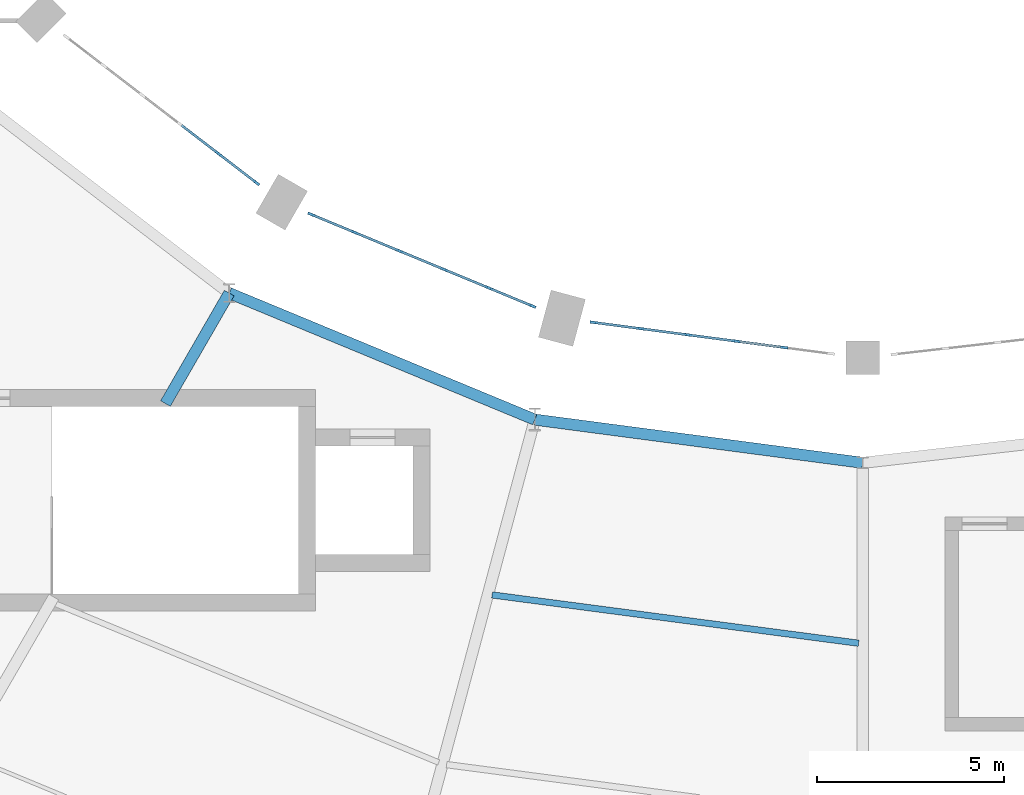
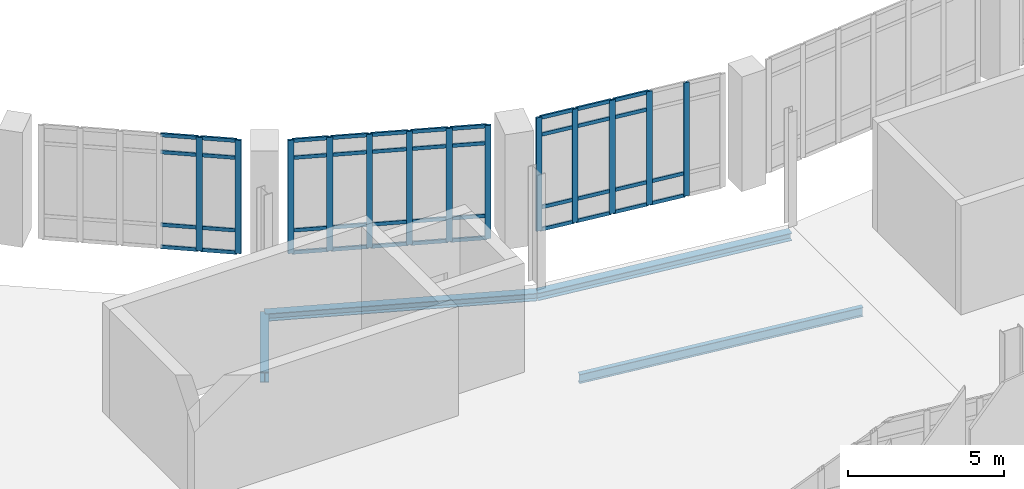
# One storey, part 19 of 67: 55 members, 4 beams, 3 elements without a shape of their own.
"""IFC4 building model written with IfcOpenShell, lengths in metres."""

from ifc_helpers import new_model, si_unit, direction, frame, origin, origin_2d, place, context, subcontext, project, spatial, rectangle, i_section, extrude, material, layer, layer_set, material_profile, profile_set, type_object, element, aggregate, save


model = new_model("IFC4")

# Units and contexts
model_context = context("Model", 3, precision=1e-05, world=origin(), true_north=direction((0.0, 1.0)))
body_context = subcontext(model_context, "Body", "Model", "MODEL_VIEW")
ifc_project = project(units=[si_unit("LENGTHUNIT", "METRE"), si_unit("AREAUNIT", "SQUARE_METRE"), si_unit("VOLUMEUNIT", "CUBIC_METRE"), si_unit("PLANEANGLEUNIT", "RADIAN"), si_unit("MASSUNIT", "GRAM", prefix="KILO")], contexts=[model_context])

# Site, building, storey
site_placement = place(None, origin())
site = spatial("IfcSite", under=ifc_project, at=site_placement, CompositionType="ELEMENT")
building_placement = place(site_placement, origin())
building = spatial("IfcBuilding", under=site, at=building_placement, Name="Sohan Crest Arena", CompositionType="ELEMENT")
storey_placement = place(building_placement, frame((0.0, 0.0, 22.5)))
storey = spatial("IfcBuildingStorey", under=building, at=storey_placement, Name="L05", CompositionType="ELEMENT", Elevation=22.5)

# Curtain wall, members
ifc_material_1 = material(Name="Thermally broken anodised aluminium", Category="aluminium")
ifc_layer = layer(ifc_material_1, 0.18994140625, Name="Thermally broken anodised aluminium")
ifc_layer_set = layer_set([ifc_layer], Name="Thermally broken anodised aluminium")
curtain_wall_type = type_object("IfcCurtainWallType", Name="ARC-CW05", PredefinedType="NOTDEFINED", material=ifc_layer_set)
curtain_wall_1_placement = place(storey_placement, origin())
curtain_wall_1 = element("IfcCurtainWall", 1, at=curtain_wall_1_placement, inside=storey, type_object=curtain_wall_type, Name="Unitised curtain wall CW-182", PredefinedType="NOTDEFINED")
ifc_material_profile_1 = material_profile(ifc_material_1, rectangle(XDim=0.070068359375, YDim=0.199951171875, at=origin_2d()), Name="ALU-MULL 70x200")
ifc_profile_set_1 = profile_set([ifc_material_profile_1], Name="Thermally broken anodised aluminium")
member_type_1 = type_object("IfcMemberType", Name="ARC-CW-ML03", PredefinedType="MULLION", material=ifc_profile_set_1)
member_1_placement = place(storey_placement, frame((80.825439453125, 52.437744140625, 0.0), z_axis=(0.0, 0.0, 1.0), x_axis=(0.608939000248, 0.793217053508, 0.0)))
member_1 = element("IfcMember", 2, at=member_1_placement, type_object=member_type_1, Name="CW-182 mullion 5", PredefinedType="MULLION", context=body_context, shape_type="SweptSolid", body=[
    extrude(rectangle(XDim=0.070068359375, YDim=0.199951171875, at=origin_2d()), origin(), (0.0, 0.0, 1.0), 4.449951171875),
])
member_2_placement = place(storey_placement, frame((81.8212890625, 51.67333984375, 0.0), z_axis=(0.0, 0.0, 1.0), x_axis=(0.608939000248, 0.793217053508, 0.0)))
member_2 = element("IfcMember", 3, at=member_2_placement, type_object=member_type_1, Name="CW-182 mullion 6", PredefinedType="MULLION", context=body_context, shape_type="SweptSolid", body=[
    extrude(rectangle(XDim=0.070068359375, YDim=0.199951171875, at=origin_2d()), origin(), (0.0, 0.0, 1.0), 4.449951171875),
])

curtain_wall_2_placement = place(storey_placement, origin())
curtain_wall_2 = element("IfcCurtainWall", 4, at=curtain_wall_2_placement, inside=storey, type_object=curtain_wall_type, Name="Unitised curtain wall CW-184", PredefinedType="NOTDEFINED")
member_3_placement = place(storey_placement, frame((83.290283203125, 50.82568359375, 0.0), z_axis=(0.0, 0.0, 1.0), x_axis=(0.382666625357, 0.923886494023, 0.0)))
member_3 = element("IfcMember", 5, at=member_3_placement, type_object=member_type_1, Name="CW-184 mullion 1", PredefinedType="MULLION", context=body_context, shape_type="SweptSolid", body=[
    extrude(rectangle(XDim=0.070068359375, YDim=0.199951171875, at=origin_2d()), origin(), (0.0, 0.0, 1.0), 4.449951171875),
])
member_4_placement = place(storey_placement, frame((84.4501953125, 50.34521484375, 0.0), z_axis=(0.0, 0.0, 1.0), x_axis=(0.382666625357, 0.923886494023, 0.0)))
member_4 = element("IfcMember", 6, at=member_4_placement, type_object=member_type_1, Name="CW-184 mullion 2", PredefinedType="MULLION", context=body_context, shape_type="SweptSolid", body=[
    extrude(rectangle(XDim=0.070068359375, YDim=0.199951171875, at=origin_2d()), origin(), (0.0, 0.0, 1.0), 4.449951171875),
])
member_5_placement = place(storey_placement, frame((85.642333984375, 49.851318359375, 0.0), z_axis=(0.0, 0.0, 1.0), x_axis=(0.382666625357, 0.923886494023, 0.0)))
member_5 = element("IfcMember", 7, at=member_5_placement, type_object=member_type_1, Name="CW-184 mullion 3", PredefinedType="MULLION", context=body_context, shape_type="SweptSolid", body=[
    extrude(rectangle(XDim=0.070068359375, YDim=0.199951171875, at=origin_2d()), origin(), (0.0, 0.0, 1.0), 4.449951171875),
])
member_6_placement = place(storey_placement, frame((86.834716796875, 49.357666015625, 0.0), z_axis=(0.0, 0.0, 1.0), x_axis=(0.382666625357, 0.923886494023, 0.0)))
member_6 = element("IfcMember", 8, at=member_6_placement, type_object=member_type_1, Name="CW-184 mullion 4", PredefinedType="MULLION", context=body_context, shape_type="SweptSolid", body=[
    extrude(rectangle(XDim=0.070068359375, YDim=0.199951171875, at=origin_2d()), origin(), (0.0, 0.0, 1.0), 4.449951171875),
])
member_7_placement = place(storey_placement, frame((88.02685546875, 48.86376953125, 0.0), z_axis=(0.0, 0.0, 1.0), x_axis=(0.382666625357, 0.923886494023, 0.0)))
member_7 = element("IfcMember", 9, at=member_7_placement, type_object=member_type_1, Name="CW-184 mullion 5", PredefinedType="MULLION", context=body_context, shape_type="SweptSolid", body=[
    extrude(rectangle(XDim=0.070068359375, YDim=0.199951171875, at=origin_2d()), origin(), (0.0, 0.0, 1.0), 4.449951171875),
])
member_8_placement = place(storey_placement, frame((89.186767578125, 48.38330078125, 0.0), z_axis=(0.0, 0.0, 1.0), x_axis=(0.382666625357, 0.923886494023, 0.0)))
member_8 = element("IfcMember", 10, at=member_8_placement, type_object=member_type_1, Name="CW-184 mullion 6", PredefinedType="MULLION", context=body_context, shape_type="SweptSolid", body=[
    extrude(rectangle(XDim=0.070068359375, YDim=0.199951171875, at=origin_2d()), origin(), (0.0, 0.0, 1.0), 4.449951171875),
])

curtain_wall_3_placement = place(storey_placement, origin())
curtain_wall_3 = element("IfcCurtainWall", 11, at=curtain_wall_3_placement, inside=storey, type_object=curtain_wall_type, Name="Unitised curtain wall CW-186", PredefinedType="NOTDEFINED")
member_9_placement = place(storey_placement, frame((90.82470703125, 47.9443359375, 0.0), z_axis=(0.0, 0.0, 1.0), x_axis=(0.130498613419, 0.991448491802, 0.0)))
member_9 = element("IfcMember", 12, at=member_9_placement, type_object=member_type_1, Name="CW-186 mullion 1", PredefinedType="MULLION", context=body_context, shape_type="SweptSolid", body=[
    extrude(rectangle(XDim=0.070068359375, YDim=0.199951171875, at=origin_2d()), origin(), (0.0, 0.0, 1.0), 4.449951171875),
])
member_10_placement = place(storey_placement, frame((92.0693359375, 47.780517578125, 0.0), z_axis=(0.0, 0.0, 1.0), x_axis=(0.130498613419, 0.991448491802, 0.0)))
member_10 = element("IfcMember", 13, at=member_10_placement, type_object=member_type_1, Name="CW-186 mullion 2", PredefinedType="MULLION", context=body_context, shape_type="SweptSolid", body=[
    extrude(rectangle(XDim=0.070068359375, YDim=0.199951171875, at=origin_2d()), origin(), (0.0, 0.0, 1.0), 4.449951171875),
])
member_11_placement = place(storey_placement, frame((93.348876953125, 47.6123046875, 0.0), z_axis=(0.0, 0.0, 1.0), x_axis=(0.130498613419, 0.991448491802, 0.0)))
member_11 = element("IfcMember", 14, at=member_11_placement, type_object=member_type_1, Name="CW-186 mullion 3", PredefinedType="MULLION", context=body_context, shape_type="SweptSolid", body=[
    extrude(rectangle(XDim=0.070068359375, YDim=0.199951171875, at=origin_2d()), origin(), (0.0, 0.0, 1.0), 4.449951171875),
])
member_12_placement = place(storey_placement, frame((94.628173828125, 47.44384765625, 0.0), z_axis=(0.0, 0.0, 1.0), x_axis=(0.130498613419, 0.991448491802, 0.0)))
member_12 = element("IfcMember", 15, at=member_12_placement, type_object=member_type_1, Name="CW-186 mullion 4", PredefinedType="MULLION", context=body_context, shape_type="SweptSolid", body=[
    extrude(rectangle(XDim=0.070068359375, YDim=0.199951171875, at=origin_2d()), origin(), (0.0, 0.0, 1.0), 4.449951171875),
])
member_13_placement = place(storey_placement, frame((95.90771484375, 47.275390625, 0.0), z_axis=(0.0, 0.0, 1.0), x_axis=(0.130498613419, 0.991448491802, 0.0)))
member_13 = element("IfcMember", 16, at=member_13_placement, type_object=member_type_1, Name="CW-186 mullion 5", PredefinedType="MULLION", context=body_context, shape_type="SweptSolid", body=[
    extrude(rectangle(XDim=0.070068359375, YDim=0.199951171875, at=origin_2d()), origin(), (0.0, 0.0, 1.0), 4.449951171875),
])

# Member
ifc_material_profile_2 = material_profile(ifc_material_1, rectangle(XDim=0.06494140625, YDim=0.139892578125, at=origin_2d()), Name="ALU-TRAN 65x140")
ifc_profile_set_2 = profile_set([ifc_material_profile_2], Name="Thermally broken anodised aluminium")
member_type_2 = type_object("IfcMemberType", Name="ARC-CW-TR02", PredefinedType="USERDEFINED", material=ifc_profile_set_2)
member_14_placement = place(storey_placement, frame((79.82958984375, 53.202392578125, 0.032470703125), z_axis=(0.793203705004, -0.608956387903, 0.0), x_axis=(0.608956387903, 0.793203705004, 0.0)))
member_14 = element("IfcMember", 17, at=member_14_placement, type_object=member_type_2, Name="CW-182 transom 4.1", ObjectType="TRANSOM", PredefinedType="USERDEFINED", context=body_context, shape_type="SweptSolid", body=[
    extrude(rectangle(XDim=0.06494140625, YDim=0.139892578125, at=origin_2d()), origin(), (0.0, 0.0, 1.0), 1.220458984375),
])

member_15_placement = place(storey_placement, frame((79.82958984375, 53.202392578125, 0.89990234375), z_axis=(0.793203705004, -0.608956387903, 0.0), x_axis=(0.608956387903, 0.793203705004, 0.0)))
member_15 = element("IfcMember", 18, at=member_15_placement, type_object=member_type_2, Name="CW-182 transom 4.2", ObjectType="TRANSOM", PredefinedType="USERDEFINED", context=body_context, shape_type="SweptSolid", body=[
    extrude(rectangle(XDim=0.06494140625, YDim=0.139892578125, at=origin_2d()), origin(), (0.0, 0.0, 1.0), 1.220458984375),
])

member_16_placement = place(storey_placement, frame((79.82958984375, 53.202392578125, 3.75), z_axis=(0.793203705004, -0.608956387903, 0.0), x_axis=(0.608956387903, 0.793203705004, 0.0)))
member_16 = element("IfcMember", 19, at=member_16_placement, type_object=member_type_2, Name="CW-182 transom 4.3", ObjectType="TRANSOM", PredefinedType="USERDEFINED", context=body_context, shape_type="SweptSolid", body=[
    extrude(rectangle(XDim=0.06494140625, YDim=0.139892578125, at=origin_2d()), origin(), (0.0, 0.0, 1.0), 1.220458984375),
])

member_17_placement = place(storey_placement, frame((79.82958984375, 53.202392578125, 4.41748046875), z_axis=(0.793203705004, -0.608956387903, 0.0), x_axis=(0.608956387903, 0.793203705004, 0.0)))
member_17 = element("IfcMember", 20, at=member_17_placement, type_object=member_type_2, Name="CW-182 transom 4.4", ObjectType="TRANSOM", PredefinedType="USERDEFINED", context=body_context, shape_type="SweptSolid", body=[
    extrude(rectangle(XDim=0.06494140625, YDim=0.139892578125, at=origin_2d()), origin(), (0.0, 0.0, 1.0), 1.220458984375),
])

member_18_placement = place(storey_placement, frame((80.853271484375, 52.41650390625, 0.032470703125), z_axis=(0.793151990467, -0.609023743394, 0.0), x_axis=(0.609023743394, 0.793151990467, 0.0)))
member_18 = element("IfcMember", 21, at=member_18_placement, type_object=member_type_2, Name="CW-182 transom 5.1", ObjectType="TRANSOM", PredefinedType="USERDEFINED", context=body_context, shape_type="SweptSolid", body=[
    extrude(rectangle(XDim=0.06494140625, YDim=0.139892578125, at=origin_2d()), origin(), (0.0, 0.0, 1.0), 1.185302734375),
])

member_19_placement = place(storey_placement, frame((80.853271484375, 52.41650390625, 0.89990234375), z_axis=(0.793151990467, -0.609023743394, 0.0), x_axis=(0.609023743394, 0.793151990467, 0.0)))
member_19 = element("IfcMember", 22, at=member_19_placement, type_object=member_type_2, Name="CW-182 transom 5.2", ObjectType="TRANSOM", PredefinedType="USERDEFINED", context=body_context, shape_type="SweptSolid", body=[
    extrude(rectangle(XDim=0.06494140625, YDim=0.139892578125, at=origin_2d()), origin(), (0.0, 0.0, 1.0), 1.185302734375),
])

member_20_placement = place(storey_placement, frame((80.853271484375, 52.41650390625, 3.75), z_axis=(0.793151990467, -0.609023743394, 0.0), x_axis=(0.609023743394, 0.793151990467, 0.0)))
member_20 = element("IfcMember", 23, at=member_20_placement, type_object=member_type_2, Name="CW-182 transom 5.3", ObjectType="TRANSOM", PredefinedType="USERDEFINED", context=body_context, shape_type="SweptSolid", body=[
    extrude(rectangle(XDim=0.06494140625, YDim=0.139892578125, at=origin_2d()), origin(), (0.0, 0.0, 1.0), 1.185302734375),
])

member_21_placement = place(storey_placement, frame((80.853271484375, 52.41650390625, 4.41748046875), z_axis=(0.793151990467, -0.609023743394, 0.0), x_axis=(0.609023743394, 0.793151990467, 0.0)))
member_21 = element("IfcMember", 24, at=member_21_placement, type_object=member_type_2, Name="CW-182 transom 5.4", ObjectType="TRANSOM", PredefinedType="USERDEFINED", context=body_context, shape_type="SweptSolid", body=[
    extrude(rectangle(XDim=0.06494140625, YDim=0.139892578125, at=origin_2d()), origin(), (0.0, 0.0, 1.0), 1.185302734375),
])

aggregate(curtain_wall_1, [member_1, member_2, member_14, member_15, member_16, member_17, member_18, member_19, member_20, member_21])

member_22_placement = place(storey_placement, frame((83.32275390625, 50.812255859375, 0.032470703125), z_axis=(0.923891330959, -0.382654947151, 0.0), x_axis=(0.382654947151, 0.923891330959, 0.0)))
member_22 = element("IfcMember", 25, at=member_22_placement, type_object=member_type_2, Name="CW-184 transom 1.1", ObjectType="TRANSOM", PredefinedType="USERDEFINED", context=body_context, shape_type="SweptSolid", body=[
    extrude(rectangle(XDim=0.06494140625, YDim=0.139892578125, at=origin_2d()), origin(), (0.0, 0.0, 1.0), 1.185546875),
])

member_23_placement = place(storey_placement, frame((83.32275390625, 50.812255859375, 0.89990234375), z_axis=(0.923891330959, -0.382654947151, 0.0), x_axis=(0.382654947151, 0.923891330959, 0.0)))
member_23 = element("IfcMember", 26, at=member_23_placement, type_object=member_type_2, Name="CW-184 transom 1.2", ObjectType="TRANSOM", PredefinedType="USERDEFINED", context=body_context, shape_type="SweptSolid", body=[
    extrude(rectangle(XDim=0.06494140625, YDim=0.139892578125, at=origin_2d()), origin(), (0.0, 0.0, 1.0), 1.185546875),
])

member_24_placement = place(storey_placement, frame((83.32275390625, 50.812255859375, 3.75), z_axis=(0.923891330959, -0.382654947151, 0.0), x_axis=(0.382654947151, 0.923891330959, 0.0)))
member_24 = element("IfcMember", 27, at=member_24_placement, type_object=member_type_2, Name="CW-184 transom 1.3", ObjectType="TRANSOM", PredefinedType="USERDEFINED", context=body_context, shape_type="SweptSolid", body=[
    extrude(rectangle(XDim=0.06494140625, YDim=0.139892578125, at=origin_2d()), origin(), (0.0, 0.0, 1.0), 1.185546875),
])

member_25_placement = place(storey_placement, frame((83.32275390625, 50.812255859375, 4.41748046875), z_axis=(0.923891330959, -0.382654947151, 0.0), x_axis=(0.382654947151, 0.923891330959, 0.0)))
member_25 = element("IfcMember", 28, at=member_25_placement, type_object=member_type_2, Name="CW-184 transom 1.4", ObjectType="TRANSOM", PredefinedType="USERDEFINED", context=body_context, shape_type="SweptSolid", body=[
    extrude(rectangle(XDim=0.06494140625, YDim=0.139892578125, at=origin_2d()), origin(), (0.0, 0.0, 1.0), 1.185546875),
])

member_26_placement = place(storey_placement, frame((84.482421875, 50.331787109375, 0.032470703125), z_axis=(0.923897383917, -0.382640332417, 0.0), x_axis=(0.382640332417, 0.923897383917, 0.0)))
member_26 = element("IfcMember", 29, at=member_26_placement, type_object=member_type_2, Name="CW-184 transom 2.1", ObjectType="TRANSOM", PredefinedType="USERDEFINED", context=body_context, shape_type="SweptSolid", body=[
    extrude(rectangle(XDim=0.06494140625, YDim=0.139892578125, at=origin_2d()), origin(), (0.0, 0.0, 1.0), 1.220458984375),
])

member_27_placement = place(storey_placement, frame((84.482421875, 50.331787109375, 0.89990234375), z_axis=(0.923897383917, -0.382640332417, 0.0), x_axis=(0.382640332417, 0.923897383917, 0.0)))
member_27 = element("IfcMember", 30, at=member_27_placement, type_object=member_type_2, Name="CW-184 transom 2.2", ObjectType="TRANSOM", PredefinedType="USERDEFINED", context=body_context, shape_type="SweptSolid", body=[
    extrude(rectangle(XDim=0.06494140625, YDim=0.139892578125, at=origin_2d()), origin(), (0.0, 0.0, 1.0), 1.220458984375),
])

member_28_placement = place(storey_placement, frame((84.482421875, 50.331787109375, 3.75), z_axis=(0.923897383917, -0.382640332417, 0.0), x_axis=(0.382640332417, 0.923897383917, 0.0)))
member_28 = element("IfcMember", 31, at=member_28_placement, type_object=member_type_2, Name="CW-184 transom 2.3", ObjectType="TRANSOM", PredefinedType="USERDEFINED", context=body_context, shape_type="SweptSolid", body=[
    extrude(rectangle(XDim=0.06494140625, YDim=0.139892578125, at=origin_2d()), origin(), (0.0, 0.0, 1.0), 1.220458984375),
])

member_29_placement = place(storey_placement, frame((84.482421875, 50.331787109375, 4.41748046875), z_axis=(0.923897383917, -0.382640332417, 0.0), x_axis=(0.382640332417, 0.923897383917, 0.0)))
member_29 = element("IfcMember", 32, at=member_29_placement, type_object=member_type_2, Name="CW-184 transom 2.4", ObjectType="TRANSOM", PredefinedType="USERDEFINED", context=body_context, shape_type="SweptSolid", body=[
    extrude(rectangle(XDim=0.06494140625, YDim=0.139892578125, at=origin_2d()), origin(), (0.0, 0.0, 1.0), 1.220458984375),
])

member_30_placement = place(storey_placement, frame((85.6748046875, 49.837890625, 0.032470703125), z_axis=(0.92393881505, -0.382540280289, 0.0), x_axis=(0.382540280289, 0.92393881505, 0.0)))
member_30 = element("IfcMember", 33, at=member_30_placement, type_object=member_type_2, Name="CW-184 transom 3.1", ObjectType="TRANSOM", PredefinedType="USERDEFINED", context=body_context, shape_type="SweptSolid", body=[
    extrude(rectangle(XDim=0.06494140625, YDim=0.139892578125, at=origin_2d()), origin(), (0.0, 0.0, 1.0), 1.22021484375),
])

member_31_placement = place(storey_placement, frame((85.6748046875, 49.837890625, 0.89990234375), z_axis=(0.92393881505, -0.382540280289, 0.0), x_axis=(0.382540280289, 0.92393881505, 0.0)))
member_31 = element("IfcMember", 34, at=member_31_placement, type_object=member_type_2, Name="CW-184 transom 3.2", ObjectType="TRANSOM", PredefinedType="USERDEFINED", context=body_context, shape_type="SweptSolid", body=[
    extrude(rectangle(XDim=0.06494140625, YDim=0.139892578125, at=origin_2d()), origin(), (0.0, 0.0, 1.0), 1.22021484375),
])

member_32_placement = place(storey_placement, frame((85.6748046875, 49.837890625, 3.75), z_axis=(0.92393881505, -0.382540280289, 0.0), x_axis=(0.382540280289, 0.92393881505, 0.0)))
member_32 = element("IfcMember", 35, at=member_32_placement, type_object=member_type_2, Name="CW-184 transom 3.3", ObjectType="TRANSOM", PredefinedType="USERDEFINED", context=body_context, shape_type="SweptSolid", body=[
    extrude(rectangle(XDim=0.06494140625, YDim=0.139892578125, at=origin_2d()), origin(), (0.0, 0.0, 1.0), 1.22021484375),
])

member_33_placement = place(storey_placement, frame((85.6748046875, 49.837890625, 4.41748046875), z_axis=(0.92393881505, -0.382540280289, 0.0), x_axis=(0.382540280289, 0.92393881505, 0.0)))
member_33 = element("IfcMember", 36, at=member_33_placement, type_object=member_type_2, Name="CW-184 transom 3.4", ObjectType="TRANSOM", PredefinedType="USERDEFINED", context=body_context, shape_type="SweptSolid", body=[
    extrude(rectangle(XDim=0.06494140625, YDim=0.139892578125, at=origin_2d()), origin(), (0.0, 0.0, 1.0), 1.22021484375),
])

member_34_placement = place(storey_placement, frame((86.866943359375, 49.34423828125, 0.032470703125), z_axis=(0.923868089985, -0.382711055899, 0.0), x_axis=(0.382711055899, 0.923868089985, 0.0)))
member_34 = element("IfcMember", 37, at=member_34_placement, type_object=member_type_2, Name="CW-184 transom 4.1", ObjectType="TRANSOM", PredefinedType="USERDEFINED", context=body_context, shape_type="SweptSolid", body=[
    extrude(rectangle(XDim=0.06494140625, YDim=0.139892578125, at=origin_2d()), origin(), (0.0, 0.0, 1.0), 1.220458984375),
])

member_35_placement = place(storey_placement, frame((86.866943359375, 49.34423828125, 0.89990234375), z_axis=(0.923868089985, -0.382711055899, 0.0), x_axis=(0.382711055899, 0.923868089985, 0.0)))
member_35 = element("IfcMember", 38, at=member_35_placement, type_object=member_type_2, Name="CW-184 transom 4.2", ObjectType="TRANSOM", PredefinedType="USERDEFINED", context=body_context, shape_type="SweptSolid", body=[
    extrude(rectangle(XDim=0.06494140625, YDim=0.139892578125, at=origin_2d()), origin(), (0.0, 0.0, 1.0), 1.220458984375),
])

member_36_placement = place(storey_placement, frame((86.866943359375, 49.34423828125, 3.75), z_axis=(0.923868089985, -0.382711055899, 0.0), x_axis=(0.382711055899, 0.923868089985, 0.0)))
member_36 = element("IfcMember", 39, at=member_36_placement, type_object=member_type_2, Name="CW-184 transom 4.3", ObjectType="TRANSOM", PredefinedType="USERDEFINED", context=body_context, shape_type="SweptSolid", body=[
    extrude(rectangle(XDim=0.06494140625, YDim=0.139892578125, at=origin_2d()), origin(), (0.0, 0.0, 1.0), 1.220458984375),
])

member_37_placement = place(storey_placement, frame((86.866943359375, 49.34423828125, 4.41748046875), z_axis=(0.923868089985, -0.382711055899, 0.0), x_axis=(0.382711055899, 0.923868089985, 0.0)))
member_37 = element("IfcMember", 40, at=member_37_placement, type_object=member_type_2, Name="CW-184 transom 4.4", ObjectType="TRANSOM", PredefinedType="USERDEFINED", context=body_context, shape_type="SweptSolid", body=[
    extrude(rectangle(XDim=0.06494140625, YDim=0.139892578125, at=origin_2d()), origin(), (0.0, 0.0, 1.0), 1.220458984375),
])

member_38_placement = place(storey_placement, frame((88.05908203125, 48.850341796875, 0.032470703125), z_axis=(0.923891330959, -0.382654947151, 0.0), x_axis=(0.382654947151, 0.923891330959, 0.0)))
member_38 = element("IfcMember", 41, at=member_38_placement, type_object=member_type_2, Name="CW-184 transom 5.1", ObjectType="TRANSOM", PredefinedType="USERDEFINED", context=body_context, shape_type="SweptSolid", body=[
    extrude(rectangle(XDim=0.06494140625, YDim=0.139892578125, at=origin_2d()), origin(), (0.0, 0.0, 1.0), 1.185546875),
])

member_39_placement = place(storey_placement, frame((88.05908203125, 48.850341796875, 0.89990234375), z_axis=(0.923891330959, -0.382654947151, 0.0), x_axis=(0.382654947151, 0.923891330959, 0.0)))
member_39 = element("IfcMember", 42, at=member_39_placement, type_object=member_type_2, Name="CW-184 transom 5.2", ObjectType="TRANSOM", PredefinedType="USERDEFINED", context=body_context, shape_type="SweptSolid", body=[
    extrude(rectangle(XDim=0.06494140625, YDim=0.139892578125, at=origin_2d()), origin(), (0.0, 0.0, 1.0), 1.185546875),
])

member_40_placement = place(storey_placement, frame((88.05908203125, 48.850341796875, 3.75), z_axis=(0.923891330959, -0.382654947151, 0.0), x_axis=(0.382654947151, 0.923891330959, 0.0)))
member_40 = element("IfcMember", 43, at=member_40_placement, type_object=member_type_2, Name="CW-184 transom 5.3", ObjectType="TRANSOM", PredefinedType="USERDEFINED", context=body_context, shape_type="SweptSolid", body=[
    extrude(rectangle(XDim=0.06494140625, YDim=0.139892578125, at=origin_2d()), origin(), (0.0, 0.0, 1.0), 1.185546875),
])

member_41_placement = place(storey_placement, frame((88.05908203125, 48.850341796875, 4.41748046875), z_axis=(0.923891330959, -0.382654947151, 0.0), x_axis=(0.382654947151, 0.923891330959, 0.0)))
member_41 = element("IfcMember", 44, at=member_41_placement, type_object=member_type_2, Name="CW-184 transom 5.4", ObjectType="TRANSOM", PredefinedType="USERDEFINED", context=body_context, shape_type="SweptSolid", body=[
    extrude(rectangle(XDim=0.06494140625, YDim=0.139892578125, at=origin_2d()), origin(), (0.0, 0.0, 1.0), 1.185546875),
])

aggregate(curtain_wall_2, [member_3, member_4, member_5, member_6, member_7, member_8, member_22, member_23, member_24, member_25, member_26, member_27, member_28, member_29, member_30, member_31, member_32, member_33, member_34, member_35, member_36, member_37, member_38, member_39, member_40, member_41])

member_42_placement = place(storey_placement, frame((90.859375, 47.93994140625, 0.032470703125), z_axis=(0.991438866968, -0.130571716173, 0.0), x_axis=(0.130571716173, 0.991438866968, 0.0)))
member_42 = element("IfcMember", 45, at=member_42_placement, type_object=member_type_2, Name="CW-186 transom 1.1", ObjectType="TRANSOM", PredefinedType="USERDEFINED", context=body_context, shape_type="SweptSolid", body=[
    extrude(rectangle(XDim=0.06494140625, YDim=0.139892578125, at=origin_2d()), origin(), (0.0, 0.0, 1.0), 1.185546875),
])

member_43_placement = place(storey_placement, frame((90.859375, 47.93994140625, 0.89990234375), z_axis=(0.991438866968, -0.130571716173, 0.0), x_axis=(0.130571716173, 0.991438866968, 0.0)))
member_43 = element("IfcMember", 46, at=member_43_placement, type_object=member_type_2, Name="CW-186 transom 1.2", ObjectType="TRANSOM", PredefinedType="USERDEFINED", context=body_context, shape_type="SweptSolid", body=[
    extrude(rectangle(XDim=0.06494140625, YDim=0.139892578125, at=origin_2d()), origin(), (0.0, 0.0, 1.0), 1.185546875),
])

member_44_placement = place(storey_placement, frame((90.859375, 47.93994140625, 3.75), z_axis=(0.991438866968, -0.130571716173, 0.0), x_axis=(0.130571716173, 0.991438866968, 0.0)))
member_44 = element("IfcMember", 47, at=member_44_placement, type_object=member_type_2, Name="CW-186 transom 1.3", ObjectType="TRANSOM", PredefinedType="USERDEFINED", context=body_context, shape_type="SweptSolid", body=[
    extrude(rectangle(XDim=0.06494140625, YDim=0.139892578125, at=origin_2d()), origin(), (0.0, 0.0, 1.0), 1.185546875),
])

member_45_placement = place(storey_placement, frame((90.859375, 47.93994140625, 4.41748046875), z_axis=(0.991438866968, -0.130571716173, 0.0), x_axis=(0.130571716173, 0.991438866968, 0.0)))
member_45 = element("IfcMember", 48, at=member_45_placement, type_object=member_type_2, Name="CW-186 transom 1.4", ObjectType="TRANSOM", PredefinedType="USERDEFINED", context=body_context, shape_type="SweptSolid", body=[
    extrude(rectangle(XDim=0.06494140625, YDim=0.139892578125, at=origin_2d()), origin(), (0.0, 0.0, 1.0), 1.185546875),
])

member_46_placement = place(storey_placement, frame((92.10400390625, 47.776123046875, 0.032470703125), z_axis=(0.991434542181, -0.130604550342, 0.0), x_axis=(0.130604550342, 0.991434542181, 0.0)))
member_46 = element("IfcMember", 49, at=member_46_placement, type_object=member_type_2, Name="CW-186 transom 2.1", ObjectType="TRANSOM", PredefinedType="USERDEFINED", context=body_context, shape_type="SweptSolid", body=[
    extrude(rectangle(XDim=0.06494140625, YDim=0.139892578125, at=origin_2d()), origin(), (0.0, 0.0, 1.0), 1.220703125),
])

member_47_placement = place(storey_placement, frame((92.10400390625, 47.776123046875, 0.89990234375), z_axis=(0.991434542181, -0.130604550342, 0.0), x_axis=(0.130604550342, 0.991434542181, 0.0)))
member_47 = element("IfcMember", 50, at=member_47_placement, type_object=member_type_2, Name="CW-186 transom 2.2", ObjectType="TRANSOM", PredefinedType="USERDEFINED", context=body_context, shape_type="SweptSolid", body=[
    extrude(rectangle(XDim=0.06494140625, YDim=0.139892578125, at=origin_2d()), origin(), (0.0, 0.0, 1.0), 1.220703125),
])

member_48_placement = place(storey_placement, frame((92.10400390625, 47.776123046875, 3.75), z_axis=(0.991434542181, -0.130604550342, 0.0), x_axis=(0.130604550342, 0.991434542181, 0.0)))
member_48 = element("IfcMember", 51, at=member_48_placement, type_object=member_type_2, Name="CW-186 transom 2.3", ObjectType="TRANSOM", PredefinedType="USERDEFINED", context=body_context, shape_type="SweptSolid", body=[
    extrude(rectangle(XDim=0.06494140625, YDim=0.139892578125, at=origin_2d()), origin(), (0.0, 0.0, 1.0), 1.220703125),
])

member_49_placement = place(storey_placement, frame((92.10400390625, 47.776123046875, 4.41748046875), z_axis=(0.991434542181, -0.130604550342, 0.0), x_axis=(0.130604550342, 0.991434542181, 0.0)))
member_49 = element("IfcMember", 52, at=member_49_placement, type_object=member_type_2, Name="CW-186 transom 2.4", ObjectType="TRANSOM", PredefinedType="USERDEFINED", context=body_context, shape_type="SweptSolid", body=[
    extrude(rectangle(XDim=0.06494140625, YDim=0.139892578125, at=origin_2d()), origin(), (0.0, 0.0, 1.0), 1.220703125),
])

member_50_placement = place(storey_placement, frame((93.383544921875, 47.607666015625, 0.032470703125), z_axis=(0.991457018973, -0.130433812827, 0.0), x_axis=(0.130433812827, 0.991457018973, 0.0)))
member_50 = element("IfcMember", 53, at=member_50_placement, type_object=member_type_2, Name="CW-186 transom 3.1", ObjectType="TRANSOM", PredefinedType="USERDEFINED", context=body_context, shape_type="SweptSolid", body=[
    extrude(rectangle(XDim=0.06494140625, YDim=0.139892578125, at=origin_2d()), origin(), (0.0, 0.0, 1.0), 1.220458984375),
])

member_51_placement = place(storey_placement, frame((93.383544921875, 47.607666015625, 0.89990234375), z_axis=(0.991457018973, -0.130433812827, 0.0), x_axis=(0.130433812827, 0.991457018973, 0.0)))
member_51 = element("IfcMember", 54, at=member_51_placement, type_object=member_type_2, Name="CW-186 transom 3.2", ObjectType="TRANSOM", PredefinedType="USERDEFINED", context=body_context, shape_type="SweptSolid", body=[
    extrude(rectangle(XDim=0.06494140625, YDim=0.139892578125, at=origin_2d()), origin(), (0.0, 0.0, 1.0), 1.220458984375),
])

member_52_placement = place(storey_placement, frame((93.383544921875, 47.607666015625, 3.75), z_axis=(0.991457018973, -0.130433812827, 0.0), x_axis=(0.130433812827, 0.991457018973, 0.0)))
member_52 = element("IfcMember", 55, at=member_52_placement, type_object=member_type_2, Name="CW-186 transom 3.3", ObjectType="TRANSOM", PredefinedType="USERDEFINED", context=body_context, shape_type="SweptSolid", body=[
    extrude(rectangle(XDim=0.06494140625, YDim=0.139892578125, at=origin_2d()), origin(), (0.0, 0.0, 1.0), 1.220458984375),
])

member_53_placement = place(storey_placement, frame((93.383544921875, 47.607666015625, 4.41748046875), z_axis=(0.991457018973, -0.130433812827, 0.0), x_axis=(0.130433812827, 0.991457018973, 0.0)))
member_53 = element("IfcMember", 56, at=member_53_placement, type_object=member_type_2, Name="CW-186 transom 3.4", ObjectType="TRANSOM", PredefinedType="USERDEFINED", context=body_context, shape_type="SweptSolid", body=[
    extrude(rectangle(XDim=0.06494140625, YDim=0.139892578125, at=origin_2d()), origin(), (0.0, 0.0, 1.0), 1.220458984375),
])

member_54_placement = place(storey_placement, frame((94.662841796875, 47.439208984375, 0.032470703125), z_axis=(0.991457018973, -0.130433812827, 0.0), x_axis=(0.130433812827, 0.991457018973, 0.0)))
member_54 = element("IfcMember", 57, at=member_54_placement, type_object=member_type_2, Name="CW-186 transom 4.1", ObjectType="TRANSOM", PredefinedType="USERDEFINED", context=body_context, shape_type="SweptSolid", body=[
    extrude(rectangle(XDim=0.06494140625, YDim=0.139892578125, at=origin_2d()), origin(), (0.0, 0.0, 1.0), 1.220458984375),
])

member_55_placement = place(storey_placement, frame((94.662841796875, 47.439208984375, 0.89990234375), z_axis=(0.991457018973, -0.130433812827, 0.0), x_axis=(0.130433812827, 0.991457018973, 0.0)))
member_55 = element("IfcMember", 58, at=member_55_placement, type_object=member_type_2, Name="CW-186 transom 4.2", ObjectType="TRANSOM", PredefinedType="USERDEFINED", context=body_context, shape_type="SweptSolid", body=[
    extrude(rectangle(XDim=0.06494140625, YDim=0.139892578125, at=origin_2d()), origin(), (0.0, 0.0, 1.0), 1.220458984375),
])

aggregate(curtain_wall_3, [member_9, member_10, member_11, member_12, member_13, member_42, member_43, member_44, member_45, member_46, member_47, member_48, member_49, member_50, member_51, member_52, member_53, member_54, member_55])

# Beams
ifc_material_2 = material(Name="Steel S355", Category="steel")
ifc_material_profile_3 = material_profile(ifc_material_2, i_section(OverallWidth=0.169921875, OverallDepth=0.360107421875, WebThickness=0.008056640625, FlangeThickness=0.0126953125, at=origin_2d()), Name="IPE 360")
ifc_profile_set_3 = profile_set([ifc_material_profile_3], Name="Steel S355")
beam_type_1 = type_object("IfcBeamType", Name="STR-BM-B02", PredefinedType="JOIST", material=ifc_profile_set_3)
beam_1_placement = place(storey_placement, frame((88.111083984375, 40.675048828125, -0.429931640625), z_axis=(0.991425208829, -0.130675381378, 0.0), x_axis=(0.130675381378, 0.991425208829, 0.0)))
element("IfcBeam", 59, at=beam_1_placement, inside=storey, type_object=beam_type_1, Name="Structural beam J-L05-1755", PredefinedType="JOIST", context=body_context, shape_type="SweptSolid", body=[
    extrude(i_section(OverallWidth=0.169921875, OverallDepth=0.360107421875, WebThickness=0.008056640625, FlangeThickness=0.0126953125, at=origin_2d()), origin(), (0.0, 0.0, 1.0), 9.864501953125),
])
ifc_material_profile_4 = material_profile(ifc_material_2, i_section(OverallWidth=0.300048828125, OverallDepth=0.300048828125, WebThickness=0.010986328125, FlangeThickness=0.01904296875, at=origin_2d()), Name="HEB 300")
ifc_profile_set_4 = profile_set([ifc_material_profile_4], Name="Steel S355")
beam_type_2 = type_object("IfcBeamType", Name="STR-BM-B12", PredefinedType="BEAM", material=ifc_profile_set_4)
beam_2_placement = place(storey_placement, frame((81.10009765625, 48.72802734375, -0.39990234375), z_axis=(0.923904876385, -0.38262224111, 0.0), x_axis=(0.38262224111, 0.923904876385, 0.0)))
element("IfcBeam", 60, at=beam_2_placement, inside=storey, type_object=beam_type_2, Name="Structural beam G-L05-1749", PredefinedType="BEAM", context=body_context, shape_type="SweptSolid", body=[
    extrude(i_section(OverallWidth=0.300048828125, OverallDepth=0.300048828125, WebThickness=0.010986328125, FlangeThickness=0.01904296875, at=origin_2d()), origin(), (0.0, 0.0, 1.0), 8.8232421875),
])
beam_3_placement = place(storey_placement, frame((89.251953125, 45.35205078125, -0.39990234375), z_axis=(0.991439032147, -0.130570461953, 0.0), x_axis=(0.130570461953, 0.991439032147, 0.0)))
element("IfcBeam", 61, at=beam_3_placement, inside=storey, type_object=beam_type_2, Name="Structural beam G-L05-1753", PredefinedType="BEAM", context=body_context, shape_type="SweptSolid", body=[
    extrude(i_section(OverallWidth=0.300048828125, OverallDepth=0.300048828125, WebThickness=0.010986328125, FlangeThickness=0.01904296875, at=origin_2d()), origin(), (0.0, 0.0, 1.0), 8.823486328125),
])
ifc_material_profile_5 = material_profile(ifc_material_2, i_section(OverallWidth=0.300048828125, OverallDepth=0.39990234375, WebThickness=0.013427734375, FlangeThickness=0.02392578125, at=origin_2d()), Name="HEB 400")
ifc_profile_set_5 = profile_set([ifc_material_profile_5], Name="Steel S355")
beam_type_3 = type_object("IfcBeamType", Name="STR-BM-B13", PredefinedType="BEAM", material=ifc_profile_set_5)
beam_4_placement = place(storey_placement, frame((81.10009765625, 48.72802734375, -0.449951171875), z_axis=(-0.500026652407, -0.866010015463, 0.0), x_axis=(0.866010015463, -0.500026652407, 0.0)))
element("IfcBeam", 62, at=beam_4_placement, inside=storey, type_object=beam_type_3, Name="Structural beam G-L05-1747", PredefinedType="BEAM", context=body_context, shape_type="SweptSolid", body=[
    extrude(i_section(OverallWidth=0.300048828125, OverallDepth=0.39990234375, WebThickness=0.013427734375, FlangeThickness=0.02392578125, at=origin_2d()), origin(), (0.0, 0.0, 1.0), 3.404052734375),
])

save(model, "model.ifc")
